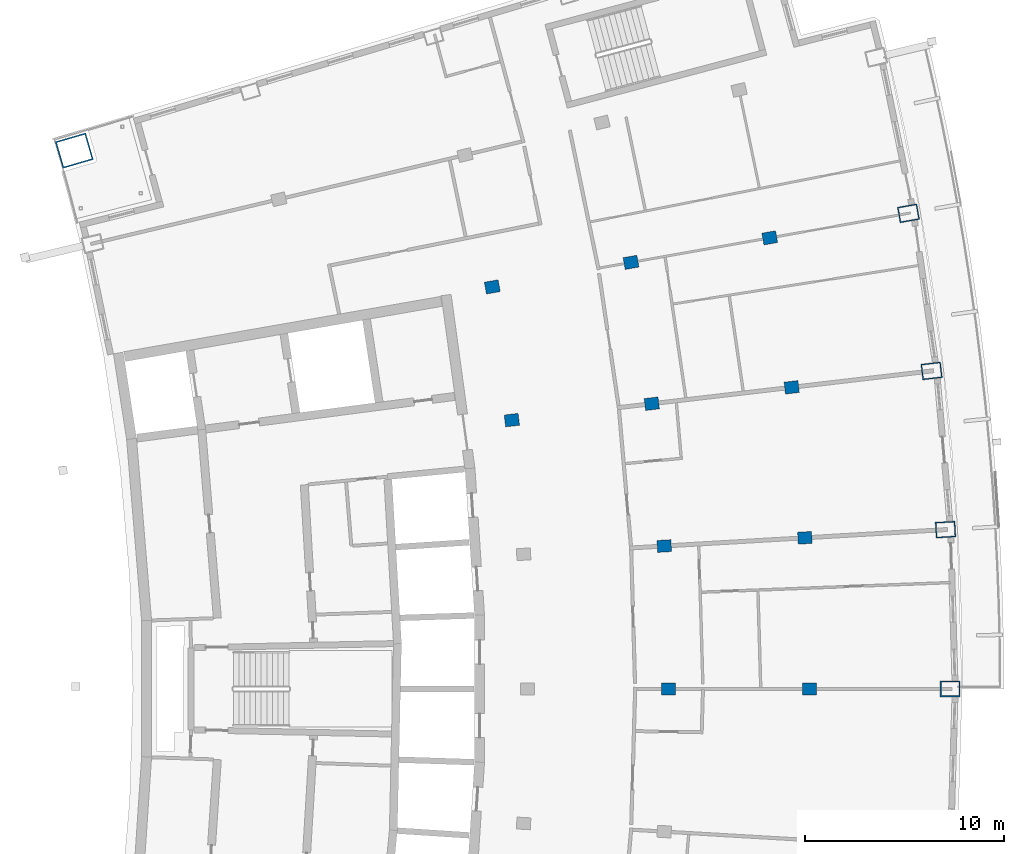
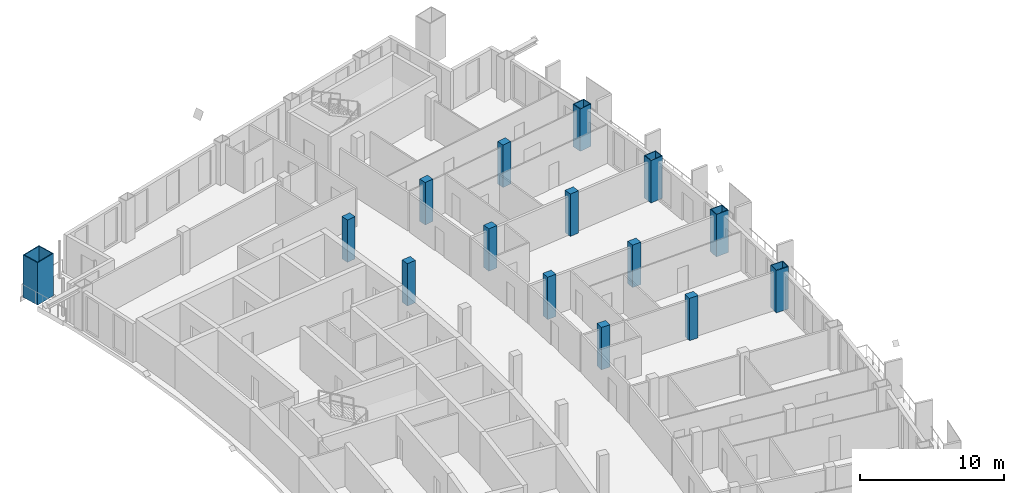
# One storey, part 4 of 15: 15 columns.
"""IFC4 building model written with IfcOpenShell, lengths in metres."""

from ifc_helpers import new_model, si_unit, direction, frame, origin, origin_2d, place, context, subcontext, project, spatial, rectangle, hollow_rectangle, extrude, material, material_profile, profile_set, type_object, element, save


model = new_model("IFC4")

# Units and contexts
model_context = context("Model", 3, precision=1e-05, world=origin(), true_north=direction((0.0, 1.0)))
body_context = subcontext(model_context, "Body", "Model", "MODEL_VIEW")
ifc_project = project(units=[si_unit("LENGTHUNIT", "METRE"), si_unit("AREAUNIT", "SQUARE_METRE"), si_unit("VOLUMEUNIT", "CUBIC_METRE"), si_unit("PLANEANGLEUNIT", "RADIAN"), si_unit("MASSUNIT", "GRAM", prefix="KILO")], contexts=[model_context])

# Site, building, storey
site_placement = place(None, origin())
site = spatial("IfcSite", under=ifc_project, at=site_placement, CompositionType="ELEMENT")
building_placement = place(site_placement, origin())
building = spatial("IfcBuilding", under=site, at=building_placement, Name="Alderwake Tower", CompositionType="ELEMENT")
storey_placement = place(building_placement, frame((0.0, 0.0, 252.800048828125)))
storey = spatial("IfcBuildingStorey", under=building, at=storey_placement, Name="L62", CompositionType="ELEMENT", Elevation=252.800048828125)

# Columns
ifc_material_1 = material(Name="Concrete C70/85", Category="concrete")
ifc_material_profile_1 = material_profile(ifc_material_1, rectangle(XDim=0.60009765625, YDim=0.699951171875, at=origin_2d()), Name="RC 700X600")
ifc_profile_set_1 = profile_set([ifc_material_profile_1], Name="Concrete C70/85")
column_type_1 = type_object("IfcColumnType", Name="Interior column Z5", PredefinedType="COLUMN", material=ifc_profile_set_1)
for number, where, z_axis, x_axis, name in (
    (1, (42.86669921875, 61.0, 0.0), (0.0, 0.0, 1.0), (0.0, 1.0, 0.0), "Column R07-C3"),
    (2, (49.933349609375, 61.0, 0.0), (0.0, 0.0, 1.0), (0.0, 1.0, 0.0), "Column R07-C4"),
    (3, (42.65771484375, 68.1630859375, 0.0), (0.0, 0.0, 1.0), (-0.058301061284, 0.998299046505, 0.0), "Column R08-C3"),
    (4, (49.71240234375, 68.5751953125, 0.0), (0.0, 0.0, 1.0), (-0.058299318924, 0.998299148258, 0.0), "Column R08-C4"),
    (5, (35.0126953125, 74.4794921875, 0.0), (0.0, 0.0, 1.0), (-0.116402054316, 0.993202175668, 0.0), "Column R09-C2"),
    (6, (42.031494140625, 75.302001953125, 0.0), (0.0, 0.0, 1.0), (-0.116402054316, 0.993202175668, 0.0), "Column R09-C3"),
    (7, (49.050048828125, 76.12451171875, 0.0), (0.0, 0.0, 1.0), (-0.116402054316, 0.993202175668, 0.0), "Column R09-C4"),
    (8, (34.03125, 81.16162109375, 0.0), (0.0, 0.0, 1.0), (-0.174108800747, 0.984726421654, 0.0), "Column R10-C2"),
    (9, (40.989990234375, 82.39208984375, 0.0), (0.0, 0.0, 1.0), (-0.174108800747, 0.984726421654, 0.0), "Column R10-C3"),
    (10, (47.94873046875, 83.622314453125, 0.0), (0.0, 0.0, 1.0), (-0.174107082075, 0.984726725529, 0.0), "Column R10-C4"),
):
    element("IfcColumn", number, at=place(storey_placement, frame(where, z_axis=z_axis, x_axis=x_axis)), inside=storey, type_object=column_type_1, Name=name, PredefinedType="COLUMN", context=body_context, shape_type="SweptSolid", body=[
        extrude(rectangle(XDim=0.60009765625, YDim=0.699951171875, at=origin_2d()), origin(), (0.0, 0.0, 1.0), 3.599853515625),
    ])
ifc_material_2 = material(Name="Steel ASTM A572 Grade 50 concrete filled C70/85", Category="concrete")
ifc_material_profile_2 = material_profile(ifc_material_2, hollow_rectangle(XDim=1.39990234375, YDim=1.60009765625, WallThickness=0.070068359375, at=origin_2d()), Name="BOX 1600X1400X70")
ifc_profile_set_2 = profile_set([ifc_material_profile_2], Name="Steel ASTM A572 Grade 50 concrete filled C70/85")
column_type_2 = type_object("IfcColumnType", Name="Mega column Z5", PredefinedType="COLUMN", material=ifc_profile_set_2)
column_placement = place(storey_placement, frame((13.06298828125, 87.99755859375, 0.0), z_axis=(0.0, 0.0, 1.0), x_axis=(-0.278612301868, 0.960403657452, 0.0)))
element("IfcColumn", 11, at=column_placement, inside=storey, type_object=column_type_2, Name="Column R12-C0", PredefinedType="COLUMN", context=body_context, shape_type="SweptSolid", body=[
    extrude(hollow_rectangle(XDim=1.39990234375, YDim=1.60009765625, WallThickness=0.070068359375, at=origin_2d()), origin(), (0.0, 0.0, 1.0), 3.599853515625),
])
ifc_material_3 = material(Name="Steel ASTM A572 Grade 50 concrete filled C70/85", Category="concrete")
ifc_material_profile_3 = material_profile(ifc_material_3, hollow_rectangle(XDim=0.800048828125, YDim=1.0, WallThickness=0.054931640625, at=origin_2d()), Name="BOX 1000X800X55")
ifc_profile_set_3 = profile_set([ifc_material_profile_3], Name="Steel ASTM A572 Grade 50 concrete filled C70/85")
column_type_3 = type_object("IfcColumnType", Name="Perimeter column Z5", PredefinedType="COLUMN", material=ifc_profile_set_3)
for number, where, z_axis, x_axis, name in (
    (12, (57.0, 61.0, 0.0), (0.0, 0.0, 1.0), (0.0, 1.0, 0.0), "Column R07-C5"),
    (13, (56.76708984375, 68.987060546875, 0.0), (0.0, 0.0, 1.0), (-0.058299318924, 0.998299148258, 0.0), "Column R08-C5"),
    (14, (56.068603515625, 76.947021484375, 0.0), (0.0, 0.0, 1.0), (-0.116402054316, 0.993202175668, 0.0), "Column R09-C5"),
    (15, (54.907470703125, 84.852783203125, 0.0), (0.0, 0.0, 1.0), (-0.174108800747, 0.984726421654, 0.0), "Column R10-C5"),
):
    element("IfcColumn", number, at=place(storey_placement, frame(where, z_axis=z_axis, x_axis=x_axis)), inside=storey, type_object=column_type_3, Name=name, PredefinedType="COLUMN", context=body_context, shape_type="SweptSolid", body=[
        extrude(hollow_rectangle(XDim=0.800048828125, YDim=1.0, WallThickness=0.054931640625, at=origin_2d()), origin(), (0.0, 0.0, 1.0), 3.599853515625),
    ])

save(model, "model.ifc")
